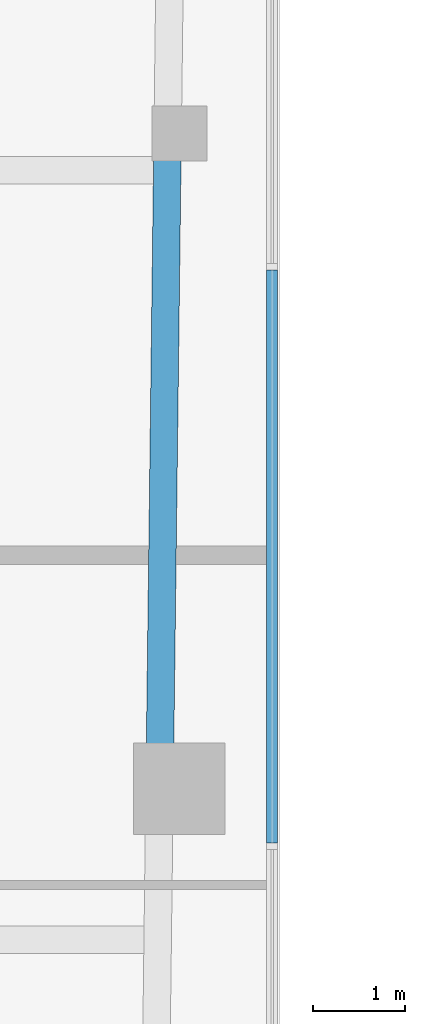
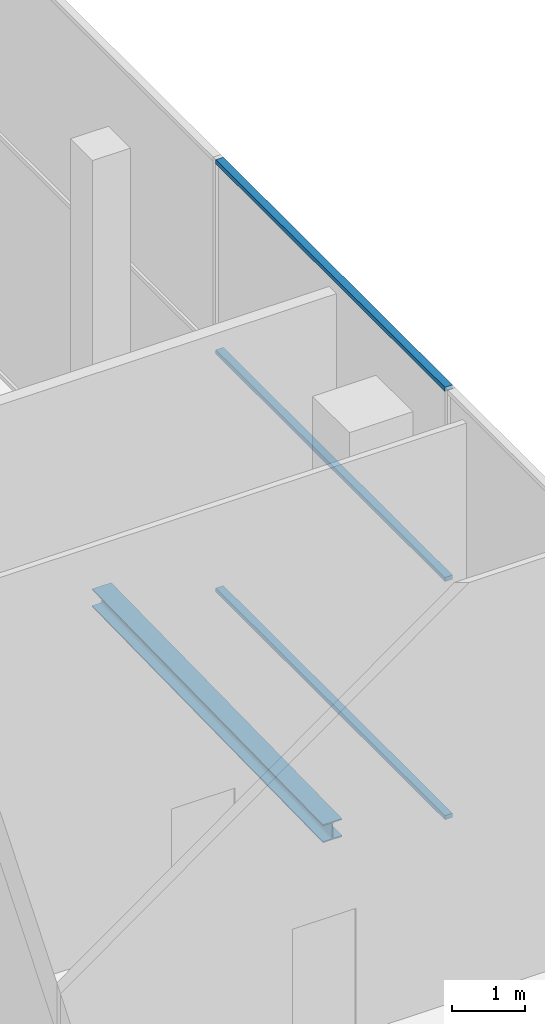
# One storey, part 7 of 23: 3 members, 1 beam, 1 element without a shape of its own.
"""IFC4 building model written with IfcOpenShell, lengths in metres."""

import ifcopenshell
import ifcopenshell.guid

model = None  # the IFC model being written
_history = None  # IfcOwnerHistory: only IFC2X3 demands one
_inside = {}  # id of a spatial element -> (the spatial element, [elements in it])
_under = {}  # id of a project, library or spatial element -> (it, [spatial elements below it])
_declared = {}  # id of a project -> (the project, [libraries it declares])
_typed = {}  # id of a type object -> (the type object, [elements of that type])
_made_of = {}  # id of a material, layer set ... -> (it, [elements and type objects made of it])


def new_model(schema):
    """Start an empty IFC model of exactly this schema.

    Asked for "IFC4X3", IfcOpenShell would pick the latest addendum, in which some entities
    have other attributes; the version numbers below select the first issue.
    IFC2X3 requires an IfcOwnerHistory on every rooted entity: one is made here for all.
    """
    global model, _history
    if schema == "IFC4X3":
        model = ifcopenshell.file(schema_version=(4, 3, 0, 0))
    else:
        model = ifcopenshell.file(schema=schema)
    _inside.clear()
    _under.clear()
    _declared.clear()
    _typed.clear()
    _made_of.clear()
    _history = None
    if model.schema == "IFC2X3":
        org = make("IfcOrganization", Name="unknown")
        user = make(
            "IfcPersonAndOrganization",
            ThePerson=make("IfcPerson", FamilyName="unknown"),
            TheOrganization=org,
        )
        app = make(
            "IfcApplication",
            ApplicationDeveloper=org,
            Version="unknown",
            ApplicationFullName="unknown",
            ApplicationIdentifier="unknown",
        )
        _history = make(
            "IfcOwnerHistory",
            OwningUser=user,
            OwningApplication=app,
            ChangeAction="ADDED",
            CreationDate=0,
        )
    return model


def make(cls, **values):
    """One entity of the class cls with the attributes given. An attribute that is None is left unset."""
    return model.create_entity(
        cls, **{name: value for name, value in values.items() if value is not None}
    )


def rooted(cls, **values):
    """An entity with a GlobalId (a new one), such as an element, a storey or a relation."""
    return make(cls, GlobalId=ifcopenshell.guid.new(), OwnerHistory=_history, **values)


def si_unit(unit_type, name, prefix=None):
    """IfcSIUnit, for example si_unit("LENGTHUNIT", "METRE", prefix="MILLI")."""
    return make("IfcSIUnit", UnitType=unit_type, Prefix=prefix, Name=name)


def assignment(units):
    """IfcUnitAssignment: the units of a project."""
    return None if units is None else make("IfcUnitAssignment", Units=units)


def point(xyz):
    """IfcCartesianPoint."""
    return None if xyz is None else make("IfcCartesianPoint", Coordinates=xyz)


def direction(xyz):
    """IfcDirection."""
    return None if xyz is None else make("IfcDirection", DirectionRatios=xyz)


def frame(location, z_axis=None, x_axis=None):
    """IfcAxis2Placement3D, a coordinate frame: its origin and axes. An axis left out is left unset."""
    return make(
        "IfcAxis2Placement3D",
        Location=point(location),
        Axis=direction(z_axis),
        RefDirection=direction(x_axis),
    )


def frame_2d(location, x_axis=None):
    """IfcAxis2Placement2D, a coordinate frame in the plane: its origin and x axis."""
    return make(
        "IfcAxis2Placement2D", Location=point(location), RefDirection=direction(x_axis)
    )


def origin():
    """The frame at (0, 0, 0) with its axes left unset."""
    return frame((0.0, 0.0, 0.0))


def origin_2d():
    """The frame at (0, 0) in the plane with its x axis left unset."""
    return frame_2d((0.0, 0.0))


def place(relative_to, where):
    """IfcLocalPlacement: puts the frame where relative to a parent placement (None: the world)."""
    return make(
        "IfcLocalPlacement", PlacementRelTo=relative_to, RelativePlacement=where
    )


def context(
    kind, dimensions, precision=None, world=None, true_north=None, identifier=None
):
    """IfcGeometricRepresentationContext, for example the 3D "Model" context."""
    return make(
        "IfcGeometricRepresentationContext",
        ContextIdentifier=identifier,
        ContextType=kind,
        CoordinateSpaceDimension=dimensions,
        Precision=precision,
        WorldCoordinateSystem=world,
        TrueNorth=true_north,
    )


def subcontext(parent, identifier, kind, view, scale=None):
    """IfcGeometricRepresentationSubContext, for example "Body" below "Model"."""
    return make(
        "IfcGeometricRepresentationSubContext",
        ContextIdentifier=identifier,
        ContextType=kind,
        ParentContext=parent,
        TargetScale=scale,
        TargetView=view,
    )


def project(units=None, contexts=None):
    """IfcProject with its units and contexts."""
    return rooted(
        "IfcProject",
        Name="project",
        RepresentationContexts=contexts,
        UnitsInContext=assignment(units),
    )


def spatial(cls, under=None, at=None, **own):
    """A site, building, storey or space (cls), placed at a placement, below another one or the project."""
    s = rooted(cls, ObjectPlacement=at, **own)
    if under is not None:
        _under.setdefault(under.id(), (under, []))[1].append(s)
    return s


def profile(cls, at=None, kind="AREA", **sizes):
    """A parametric profile (cls). Its sizes go by their IFC names, for example OverallWidth=200.0."""
    return make(cls, ProfileType=kind, Position=at, **sizes)


def rectangle(**sizes):
    """IfcRectangleProfileDef."""
    return profile("IfcRectangleProfileDef", **sizes)


def i_section(**sizes):
    """IfcIShapeProfileDef."""
    return profile("IfcIShapeProfileDef", **sizes)


def extrude(swept, where, along, depth):
    """IfcExtrudedAreaSolid: the profile swept, set in the frame where, extruded along a direction by depth."""
    return make(
        "IfcExtrudedAreaSolid",
        SweptArea=swept,
        Position=where,
        ExtrudedDirection=direction(along),
        Depth=depth,
    )


def shape(context_of_items, identifier, shape_type, items):
    """IfcShapeRepresentation: the items that make up one representation, for example the "Body"."""
    return make(
        "IfcShapeRepresentation",
        ContextOfItems=context_of_items,
        RepresentationIdentifier=identifier,
        RepresentationType=shape_type,
        Items=items,
    )


def material(Name=None, Category=None):
    """IfcMaterial."""
    return make("IfcMaterial", Name=Name, Category=Category)


def layer(
    of_material, thickness, ventilated=None, Name=None, Category=None, Priority=None
):
    """IfcMaterialLayer: one layer of a wall or slab, of a material (None: an air gap)."""
    return make(
        "IfcMaterialLayer",
        Material=of_material,
        LayerThickness=thickness,
        IsVentilated=ventilated,
        Name=Name,
        Category=Category,
        Priority=Priority,
    )


def layer_set(layers, Name=None):
    """IfcMaterialLayerSet."""
    return make("IfcMaterialLayerSet", MaterialLayers=layers, LayerSetName=Name)


def material_profile(
    of_material, cross_section, Name=None, Category=None, Priority=None
):
    """IfcMaterialProfile: a cross section and its material."""
    return make(
        "IfcMaterialProfile",
        Name=Name,
        Material=of_material,
        Profile=cross_section,
        Priority=Priority,
        Category=Category,
    )


def profile_set(profiles, Name=None, composite=None):
    """IfcMaterialProfileSet."""
    return make(
        "IfcMaterialProfileSet",
        Name=Name,
        MaterialProfiles=profiles,
        CompositeProfile=composite,
    )


def made_of(thing, what):
    """Note that an element or type object is made of a material, layer set ...; save() writes the relation."""
    if what is not None:
        _made_of.setdefault(what.id(), (what, []))[1].append(thing)
    return thing


def type_object(cls, material=None, **own):
    """A type object (cls), such as IfcWallType, which elements share."""
    return made_of(rooted(cls, **own), material)


def element(
    cls,
    number,
    at=None,
    inside=None,
    cuts=None,
    type_object=None,
    material=None,
    context=None,
    identifier="Body",
    shape_type=None,
    held_by="IfcProductDefinitionShape",
    body=None,
    shapes=None,
    **own,
):
    """One element of the class cls, such as IfcWall. Its Tag is "e" and its number.

    at: its placement. inside: the storey or other place that contains it. cuts: it is an
    opening in that element (IfcRelVoidsElement). A single representation is given by context,
    identifier, shape_type and body (its items); several are given by shapes. held_by: the class
    of the entity that holds the representations. save() writes the other relations.
    """
    e = rooted(cls, Tag="e%d" % number, ObjectPlacement=at, **own)
    if body is not None:
        shapes = [shape(context, identifier, shape_type, body)]
    if shapes is not None:
        e.Representation = make(held_by, Representations=shapes)
    if inside is not None:
        _inside.setdefault(inside.id(), (inside, []))[1].append(e)
    if cuts is not None:
        rooted(
            "IfcRelVoidsElement", RelatingBuildingElement=cuts, RelatedOpeningElement=e
        )
    if type_object is not None:
        _typed.setdefault(type_object.id(), (type_object, []))[1].append(e)
    return made_of(e, material)


def aggregate(whole, parts):
    """IfcRelAggregates: a whole, such as a stair, and the parts it consists of."""
    return rooted("IfcRelAggregates", RelatingObject=whole, RelatedObjects=parts)


def save(model, path):
    """Write the relations noted so far, then the file.

    IfcRelAggregates (storeys below a building ...), IfcRelContainedInSpatialStructure (elements
    in a storey), IfcRelDefinesByType, IfcRelAssociatesMaterial and IfcRelDeclares: one each for
    every whole, place, type object, material and project.
    """
    for whole, parts in _under.values():
        aggregate(whole, parts)
    for where, things in _inside.values():
        rooted(
            "IfcRelContainedInSpatialStructure",
            RelatedElements=things,
            RelatingStructure=where,
        )
    for kind, things in _typed.values():
        rooted("IfcRelDefinesByType", RelatedObjects=things, RelatingType=kind)
    for what, things in _made_of.values():
        rooted("IfcRelAssociatesMaterial", RelatedObjects=things, RelatingMaterial=what)
    for by, libraries in _declared.values():
        rooted("IfcRelDeclares", RelatingContext=by, RelatedDefinitions=libraries)
    model.write(path)


model = new_model("IFC4")

# Units and contexts
model_context = context("Model", 3, precision=1e-05, world=origin(), true_north=direction((0.0, 1.0)))
body_context = subcontext(model_context, "Body", "Model", "MODEL_VIEW")
ifc_project = project(units=[si_unit("LENGTHUNIT", "METRE"), si_unit("AREAUNIT", "SQUARE_METRE"), si_unit("VOLUMEUNIT", "CUBIC_METRE"), si_unit("PLANEANGLEUNIT", "RADIAN"), si_unit("MASSUNIT", "GRAM", prefix="KILO")], contexts=[model_context])

# Site, building, storey
site_placement = place(None, origin())
site = spatial("IfcSite", under=ifc_project, at=site_placement, CompositionType="ELEMENT")
building_placement = place(site_placement, origin())
building = spatial("IfcBuilding", under=site, at=building_placement, Name="Marenta Gate Hotel Tower", CompositionType="ELEMENT")
storey_placement = place(building_placement, frame((0.0, 0.0, 288.5)))
storey = spatial("IfcBuildingStorey", under=building, at=storey_placement, Name="L66", CompositionType="ELEMENT", Elevation=288.5)

# Beam
ifc_material_1 = material(Name="Steel S355", Category="steel")
ifc_material_profile_1 = material_profile(ifc_material_1, i_section(OverallWidth=0.300048828125, OverallDepth=0.300048828125, WebThickness=0.010986328125, FlangeThickness=0.01904296875, FilletRadius=0.027099609375, at=origin_2d()), Name="HEB 300")
ifc_profile_set_1 = profile_set([ifc_material_profile_1], Name="Steel S355")
beam_type = type_object("IfcBeamType", Name="Edge beam HEB 300", PredefinedType="SPANDREL", material=ifc_profile_set_1)
beam_placement = place(storey_placement, frame((19.869384765625, 0.143310546875, -0.409912109375), z_axis=(-0.012370500371, -0.999923482433, 0.0), x_axis=(0.999923482433, -0.012370500371, 0.0)))
element("IfcBeam", 1, at=beam_placement, inside=storey, type_object=beam_type, Name="L66-EB-24", PredefinedType="SPANDREL", context=body_context, shape_type="SweptSolid", body=[
    extrude(i_section(OverallWidth=0.300048828125, OverallDepth=0.300048828125, WebThickness=0.010986328125, FlangeThickness=0.01904296875, FilletRadius=0.027099609375, at=origin_2d()), origin(), (0.0, 0.0, 1.0), 6.433837890625),
])

# Curtain wall, members
ifc_material_2 = material(Name="Tinted insulated glass in bronze anodised frame", Category="glass")
ifc_layer = layer(ifc_material_2, 0.1201171875)
ifc_layer_set = layer_set([ifc_layer], Name="Tinted insulated glass in bronze anodised frame")
curtain_wall_type = type_object("IfcCurtainWallType", Name="Sky restaurant glazing CW4", PredefinedType="NOTDEFINED", material=ifc_layer_set)
curtain_wall_placement = place(storey_placement, origin())
curtain_wall = element("IfcCurtainWall", 2, at=curtain_wall_placement, inside=storey, type_object=curtain_wall_type, Name="CW4 run G19", PredefinedType="NOTDEFINED")
ifc_material_3 = material(Name="Bronze anodised aluminium", Category="aluminium")
ifc_material_profile_2 = material_profile(ifc_material_3, rectangle(XDim=0.1201171875, YDim=0.070068359375, at=origin_2d()), Name="Transom CW4 70x120 bronze anodised aluminium")
ifc_profile_set_2 = profile_set([ifc_material_profile_2], Name="Bronze anodised aluminium")
member_type = type_object("IfcMemberType", Name="Transom CW4 70x120 bronze anodised aluminium", PredefinedType="USERDEFINED", material=ifc_profile_set_2)
member_1_placement = place(storey_placement, frame((21.013916015625, -7.341064453125, 0.034912109375), z_axis=(0.0, 1.0, 0.0), x_axis=(-1.0, 0.0, 0.0)))
member_1 = element("IfcMember", 3, at=member_1_placement, type_object=member_type, Name="CW4 transom 4.1", ObjectType="TRANSOM", PredefinedType="USERDEFINED", context=body_context, shape_type="SweptSolid", body=[
    extrude(rectangle(XDim=0.1201171875, YDim=0.070068359375, at=origin_2d()), origin(), (0.0, 0.0, 1.0), 6.252685546875),
])
member_2_placement = place(storey_placement, frame((21.013916015625, -7.341064453125, 4.0), z_axis=(0.0, 1.0, 0.0), x_axis=(-1.0, 0.0, 0.0)))
member_2 = element("IfcMember", 4, at=member_2_placement, type_object=member_type, Name="CW4 transom 4.2", ObjectType="TRANSOM", PredefinedType="USERDEFINED", context=body_context, shape_type="SweptSolid", body=[
    extrude(rectangle(XDim=0.1201171875, YDim=0.070068359375, at=origin_2d()), origin(), (0.0, 0.0, 1.0), 6.252685546875),
])
member_3_placement = place(storey_placement, frame((21.013916015625, -7.341064453125, 7.1650390625), z_axis=(0.0, 1.0, 0.0), x_axis=(-1.0, 0.0, 0.0)))
member_3 = element("IfcMember", 5, at=member_3_placement, type_object=member_type, Name="CW4 transom 4.3", ObjectType="TRANSOM", PredefinedType="USERDEFINED", context=body_context, shape_type="SweptSolid", body=[
    extrude(rectangle(XDim=0.1201171875, YDim=0.070068359375, at=origin_2d()), origin(), (0.0, 0.0, 1.0), 6.252685546875),
])
aggregate(curtain_wall, [member_1, member_2, member_3])

save(model, "model.ifc")
